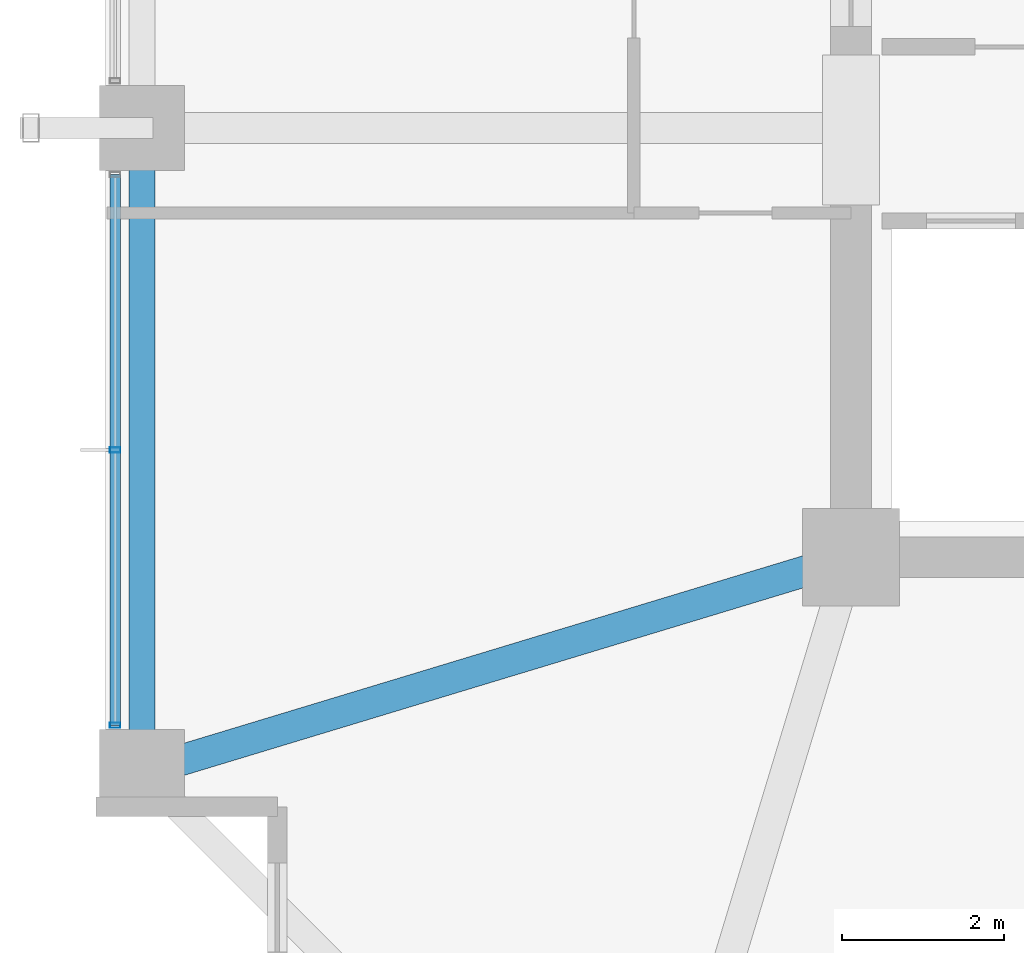
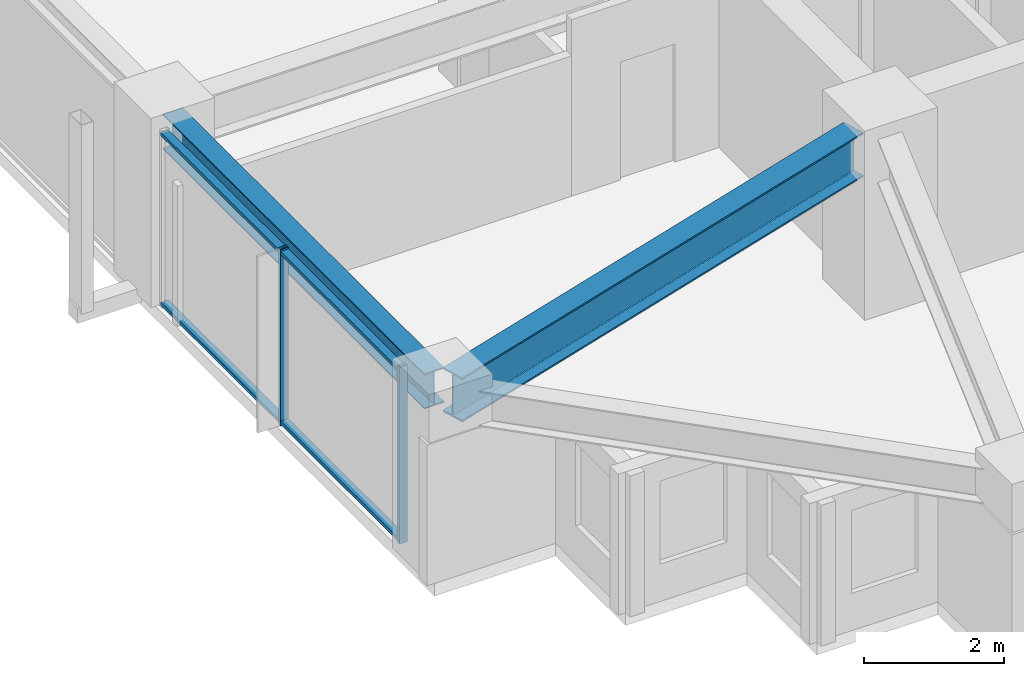
# One storey, part 3 of 31: 4 members, 2 beams, 1 element without a shape of its own.
"""IFC4 building model written with IfcOpenShell, lengths in metres."""

from ifc_helpers import new_model, si_unit, direction, frame, origin, origin_2d, place, context, subcontext, project, spatial, hollow_rectangle, i_section, extrude, material, material_profile, profile_set, type_object, element, aggregate, save


model = new_model("IFC4")

# Units and contexts
model_context = context("Model", 3, precision=1e-05, world=origin(), true_north=direction((0.0, 1.0)))
body_context = subcontext(model_context, "Body", "Model", "MODEL_VIEW")
ifc_project = project(units=[si_unit("LENGTHUNIT", "METRE"), si_unit("AREAUNIT", "SQUARE_METRE"), si_unit("VOLUMEUNIT", "CUBIC_METRE"), si_unit("PLANEANGLEUNIT", "RADIAN"), si_unit("MASSUNIT", "GRAM", prefix="KILO")], contexts=[model_context])

# Site, building, storey
site_placement = place(None, origin())
site = spatial("IfcSite", under=ifc_project, at=site_placement, CompositionType="ELEMENT")
building_placement = place(site_placement, origin())
building = spatial("IfcBuilding", under=site, at=building_placement, Name="Kolvaren Belvedere", CompositionType="ELEMENT")
storey_placement = place(building_placement, frame((0.0, 0.0, 118.39990234375)))
storey = spatial("IfcBuildingStorey", under=building, at=storey_placement, Name="L34", CompositionType="ELEMENT", Elevation=118.39990234375)

# Beams
ifc_material_1 = material(Name="Structural steel ASTM A992 Grade 50", Category="steel")
ifc_material_profile_1 = material_profile(ifc_material_1, i_section(OverallWidth=0.381103515625, OverallDepth=0.77294921875, WebThickness=0.0166015625, FlangeThickness=0.027099609375, FilletRadius=0.02392578125, at=origin_2d()), Name="W30X173")
ifc_profile_set_1 = profile_set([ifc_material_profile_1], Name="Structural steel ASTM A992 Grade 50")
beam_type_1 = type_object("IfcBeamType", Name="BM-GIRD-W30X173", PredefinedType="BEAM", material=ifc_profile_set_1)
beam_1_placement = place(storey_placement, frame((-10.426513671875, -10.059326171875, 2.693603515625), z_axis=(-0.957069465398, -0.289858652454, 0.0), x_axis=(0.289858652454, -0.957069465398, 0.0)))
element("IfcBeam", 1, at=beam_1_placement, inside=storey, type_object=beam_type_1, Name="L34 Corner Core-to-Perimeter Girder CC1-W1", PredefinedType="BEAM", context=body_context, shape_type="SweptSolid", body=[
    extrude(i_section(OverallWidth=0.381103515625, OverallDepth=0.77294921875, WebThickness=0.0166015625, FlangeThickness=0.027099609375, FilletRadius=0.02392578125, at=origin_2d()), origin(), (0.0, 0.0, 1.0), 8.38232421875),
])
ifc_material_2 = material(Name="Structural steel ASTM A992 Grade 50", Category="steel")
ifc_material_profile_2 = material_profile(ifc_material_2, i_section(OverallWidth=0.324951171875, OverallDepth=0.615966796875, WebThickness=0.013916015625, FlangeThickness=0.021484375, FilletRadius=0.02001953125, at=origin_2d()), Name="W24X117")
ifc_profile_set_2 = profile_set([ifc_material_profile_2], Name="Structural steel ASTM A992 Grade 50")
beam_type_2 = type_object("IfcBeamType", Name="BM-SPAN-W24X117", PredefinedType="SPANDREL", material=ifc_profile_set_2)
beam_2_placement = place(storey_placement, frame((-18.64990234375, -4.836181640625, 2.772216796875), z_axis=(0.0, -1.0, 0.0), x_axis=(1.0, 0.0, 0.0)))
element("IfcBeam", 2, at=beam_2_placement, inside=storey, type_object=beam_type_2, Name="L34 Perimeter Spandrel W2-W1", PredefinedType="SPANDREL", context=body_context, shape_type="SweptSolid", body=[
    extrude(i_section(OverallWidth=0.324951171875, OverallDepth=0.615966796875, WebThickness=0.013916015625, FlangeThickness=0.021484375, FilletRadius=0.02001953125, at=origin_2d()), origin(), (0.0, 0.0, 1.0), 7.4775390625),
])

# Curtain wall, members
ifc_material_3 = material(Name="Anodised pale-metal aluminium AA 6063-T6", Category="aluminium")
curtain_wall_type = type_object("IfcCurtainWallType", Name="CW-Z3-WAIST", PredefinedType="NOTDEFINED", material=ifc_material_3)
curtain_wall_placement = place(storey_placement, origin())
curtain_wall = element("IfcCurtainWall", 3, at=curtain_wall_placement, inside=storey, type_object=curtain_wall_type, Name="L34 Unitised Curtain Wall FCW-L34-W-B1", PredefinedType="NOTDEFINED")
ifc_material_4 = material(Name="Anodised pale-metal aluminium AA 6063-T6", Category="aluminium")
ifc_material_profile_3 = material_profile(ifc_material_4, hollow_rectangle(XDim=0.06494140625, YDim=0.1298828125, WallThickness=0.00390625, at=origin_2d()), Name="ALU-MUL-130X65")
ifc_profile_set_3 = profile_set([ifc_material_profile_3], Name="Anodised pale-metal aluminium AA 6063-T6")
member_type_1 = type_object("IfcMemberType", Name="CW-MUL-130", PredefinedType="MULLION", material=ifc_profile_set_3)
member_1_placement = place(storey_placement, frame((-18.97998046875, -11.972412109375, 0.0), z_axis=(0.0, 0.0, 1.0), x_axis=(0.0, 1.0, 0.0)))
member_1 = element("IfcMember", 4, at=member_1_placement, type_object=member_type_1, Name="FCW-L34-W-B1 Unitised Mullion 1", PredefinedType="MULLION", context=body_context, shape_type="SweptSolid", body=[
    extrude(hollow_rectangle(XDim=0.06494140625, YDim=0.1298828125, WallThickness=0.00390625, at=origin_2d()), origin(), (0.0, 0.0, 1.0), 3.080078125),
])
member_2_placement = place(storey_placement, frame((-18.97998046875, -8.574951171875, 0.0), z_axis=(0.0, 0.0, 1.0), x_axis=(0.0, 1.0, 0.0)))
member_2 = element("IfcMember", 5, at=member_2_placement, type_object=member_type_1, Name="FCW-L34-W-B1 Unitised Mullion 2", PredefinedType="MULLION", context=body_context, shape_type="SweptSolid", body=[
    extrude(hollow_rectangle(XDim=0.06494140625, YDim=0.1298828125, WallThickness=0.00390625, at=origin_2d()), origin(), (0.0, 0.0, 1.0), 3.080078125),
])
ifc_material_5 = material(Name="Anodised pale-metal aluminium AA 6063-T6", Category="aluminium")
ifc_material_profile_4 = material_profile(ifc_material_5, hollow_rectangle(XDim=0.06005859375, YDim=0.1298828125, WallThickness=0.00390625, at=origin_2d()), Name="ALU-TRN-130X60")
ifc_profile_set_4 = profile_set([ifc_material_profile_4], Name="Anodised pale-metal aluminium AA 6063-T6")
member_type_2 = type_object("IfcMemberType", Name="CW-TRN-130", PredefinedType="USERDEFINED", material=ifc_profile_set_4)
member_3_placement = place(storey_placement, frame((-18.97998046875, -11.972412109375, 0.06005859375), z_axis=(0.0, 1.0, 0.0), x_axis=(0.0, 0.0, 1.0)))
member_3 = element("IfcMember", 6, at=member_3_placement, type_object=member_type_2, Name="FCW-L34-W-B1 Sill Transom", ObjectType="TRANSOM", PredefinedType="USERDEFINED", context=body_context, shape_type="SweptSolid", body=[
    extrude(hollow_rectangle(XDim=0.06005859375, YDim=0.1298828125, WallThickness=0.00390625, at=origin_2d()), origin(), (0.0, 0.0, 1.0), 6.794921875),
])
member_4_placement = place(storey_placement, frame((-18.97998046875, -11.972412109375, 3.02001953125), z_axis=(0.0, 1.0, 0.0), x_axis=(0.0, 0.0, 1.0)))
member_4 = element("IfcMember", 7, at=member_4_placement, type_object=member_type_2, Name="FCW-L34-W-B1 Head Transom", ObjectType="TRANSOM", PredefinedType="USERDEFINED", context=body_context, shape_type="SweptSolid", body=[
    extrude(hollow_rectangle(XDim=0.06005859375, YDim=0.1298828125, WallThickness=0.00390625, at=origin_2d()), origin(), (0.0, 0.0, 1.0), 6.794921875),
])
aggregate(curtain_wall, [member_1, member_2, member_3, member_4])

save(model, "model.ifc")
